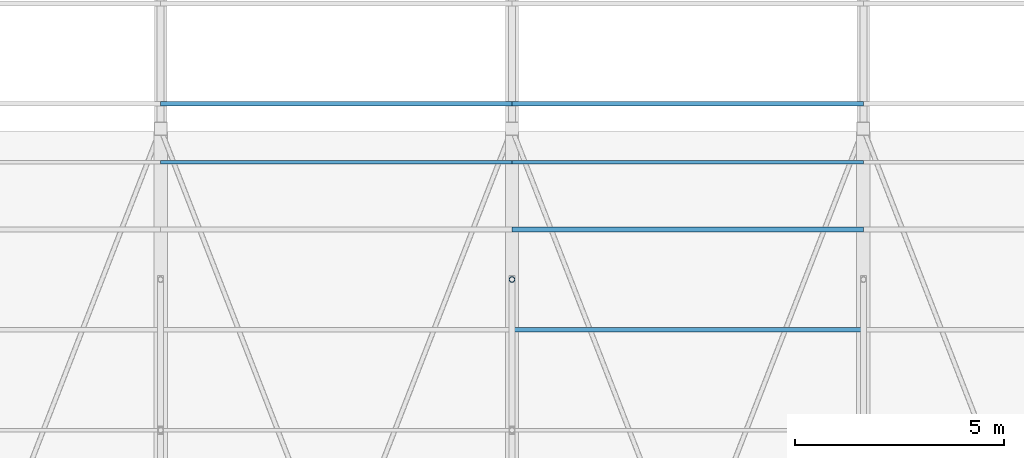
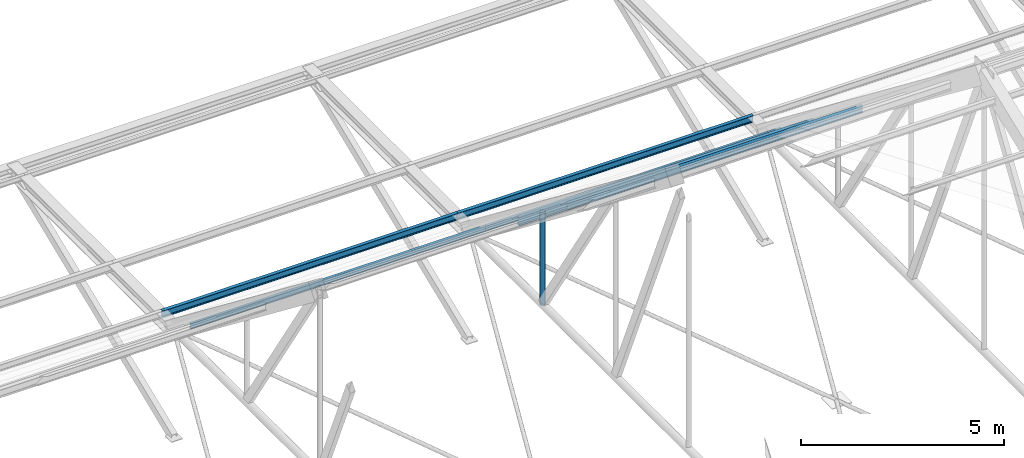
# One storey, part 117 of 217: 7 members.
"""IFC4 building model written with IfcOpenShell, lengths in metres."""

from ifc_helpers import new_model, si_unit, direction, frame, origin, origin_2d, place, context, subcontext, project, spatial, hollow_circle, i_section, extrude, material, material_profile, profile_set, type_object, element, save


model = new_model("IFC4")

# Units and contexts
model_context = context("Model", 3, precision=1e-05, world=origin(), true_north=direction((0.0, 1.0)))
body_context = subcontext(model_context, "Body", "Model", "MODEL_VIEW")
ifc_project = project(units=[si_unit("LENGTHUNIT", "METRE"), si_unit("AREAUNIT", "SQUARE_METRE"), si_unit("VOLUMEUNIT", "CUBIC_METRE"), si_unit("PLANEANGLEUNIT", "RADIAN"), si_unit("MASSUNIT", "GRAM", prefix="KILO")], contexts=[model_context])

# Site, building, storey
site_placement = place(None, origin())
site = spatial("IfcSite", under=ifc_project, at=site_placement, CompositionType="ELEMENT")
building_placement = place(site_placement, origin())
building = spatial("IfcBuilding", under=site, at=building_placement, Name="Mazaris Harbour Polytechnic", CompositionType="ELEMENT")
storey_placement = place(building_placement, frame((0.0, 0.0, 9.60009765625)))
storey = spatial("IfcBuildingStorey", under=building, at=storey_placement, Name="L02", CompositionType="ELEMENT", Elevation=9.60009765625)

# Members
ifc_material_1 = material(Name="Steel S355", Category="steel")
ifc_material_profile_1 = material_profile(ifc_material_1, i_section(OverallWidth=0.08203125, OverallDepth=0.159912109375, WebThickness=0.0048828125, FlangeThickness=0.00732421875, FilletRadius=0.009033203125, at=origin_2d()), Name="IPE 160")
ifc_profile_set_1 = profile_set([ifc_material_profile_1], Name="Steel S355")
member_type_1 = type_object("IfcMemberType", Name="Steel Purlin IPE160", PredefinedType="PURLIN", material=ifc_profile_set_1)
member_1_placement = place(storey_placement, frame((62.39990234375, 107.199951171875, 4.3310546875), z_axis=(1.0, 0.0, 0.0), x_axis=(0.0, 1.0, 0.0)))
element("IfcMember", 1, at=member_1_placement, inside=storey, type_object=member_type_1, Name="V1 Roof Purlin N-39", PredefinedType="PURLIN", context=body_context, shape_type="SweptSolid", body=[
    extrude(i_section(OverallWidth=0.08203125, OverallDepth=0.159912109375, WebThickness=0.0048828125, FlangeThickness=0.00732421875, FilletRadius=0.009033203125, at=origin_2d()), origin(), (0.0, 0.0, 1.0), 8.400146484375),
])
member_2_placement = place(storey_placement, frame((70.800048828125, 107.199951171875, 4.3310546875), z_axis=(1.0, 0.0, 0.0), x_axis=(0.0, 1.0, 0.0)))
element("IfcMember", 2, at=member_2_placement, inside=storey, type_object=member_type_1, Name="V1 Roof Purlin N-60", PredefinedType="PURLIN", context=body_context, shape_type="SweptSolid", body=[
    extrude(i_section(OverallWidth=0.08203125, OverallDepth=0.159912109375, WebThickness=0.0048828125, FlangeThickness=0.00732421875, FilletRadius=0.009033203125, at=origin_2d()), origin(), (0.0, 0.0, 1.0), 8.39990234375),
])
ifc_material_2 = material(Name="Steel S355", Category="steel")
ifc_material_profile_2 = material_profile(ifc_material_2, i_section(OverallWidth=0.10009765625, OverallDepth=0.199951171875, WebThickness=0.005615234375, FlangeThickness=0.008544921875, FilletRadius=0.011962890625, at=origin_2d()), Name="IPE 200")
ifc_profile_set_2 = profile_set([ifc_material_profile_2], Name="Steel S355")
member_type_2 = type_object("IfcMemberType", Name="Steel Purlin IPE200", PredefinedType="PURLIN", material=ifc_profile_set_2)
member_3_placement = place(storey_placement, frame((70.800048828125, 103.199951171875, 7.4130859375), z_axis=(1.0, 0.0, 0.0), x_axis=(0.0, 1.0, 0.0)))
element("IfcMember", 3, at=member_3_placement, inside=storey, type_object=member_type_2, Name="V1 Roof Purlin N-58", PredefinedType="PURLIN", context=body_context, shape_type="SweptSolid", body=[
    extrude(i_section(OverallWidth=0.10009765625, OverallDepth=0.199951171875, WebThickness=0.005615234375, FlangeThickness=0.008544921875, FilletRadius=0.011962890625, at=origin_2d()), origin(), (0.0, 0.0, 1.0), 8.39990234375),
])
ifc_material_3 = material(Name="Steel S355", Category="steel")
ifc_material_profile_3 = material_profile(ifc_material_3, i_section(OverallWidth=0.10009765625, OverallDepth=0.199951171875, WebThickness=0.005615234375, FlangeThickness=0.008544921875, FilletRadius=0.011962890625, at=origin_2d()), Name="IPE 200")
ifc_profile_set_3 = profile_set([ifc_material_profile_3], Name="Steel S355")
member_type_3 = type_object("IfcMemberType", Name="Steel Purlin IPE200 Exterior", PredefinedType="PURLIN", material=ifc_profile_set_3)
member_4_placement = place(storey_placement, frame((62.39990234375, 108.60009765625, 3.85498046875), z_axis=(1.0, 0.0, 0.0), x_axis=(0.0, 1.0, 0.0)))
element("IfcMember", 4, at=member_4_placement, inside=storey, type_object=member_type_3, Name="V1 Roof Purlin N-40", PredefinedType="PURLIN", context=body_context, shape_type="SweptSolid", body=[
    extrude(i_section(OverallWidth=0.10009765625, OverallDepth=0.199951171875, WebThickness=0.005615234375, FlangeThickness=0.008544921875, FilletRadius=0.011962890625, at=origin_2d()), origin(), (0.0, 0.0, 1.0), 8.400146484375),
])
member_5_placement = place(storey_placement, frame((70.800048828125, 108.60009765625, 3.85498046875), z_axis=(1.0, 0.0, 0.0), x_axis=(0.0, 1.0, 0.0)))
element("IfcMember", 5, at=member_5_placement, inside=storey, type_object=member_type_3, Name="V1 Roof Purlin N-61", PredefinedType="PURLIN", context=body_context, shape_type="SweptSolid", body=[
    extrude(i_section(OverallWidth=0.10009765625, OverallDepth=0.199951171875, WebThickness=0.005615234375, FlangeThickness=0.008544921875, FilletRadius=0.011962890625, at=origin_2d()), origin(), (0.0, 0.0, 1.0), 8.39990234375),
])
ifc_material_4 = material(Name="Steel S355", Category="steel")
ifc_material_profile_4 = material_profile(ifc_material_4, i_section(OverallWidth=0.1201171875, OverallDepth=0.239990234375, WebThickness=0.006103515625, FlangeThickness=0.009765625, FilletRadius=0.014892578125, at=origin_2d()), Name="IPE 240")
ifc_profile_set_4 = profile_set([ifc_material_profile_4], Name="Steel S355")
member_type_4 = type_object("IfcMemberType", Name="Steel Purlin IPE240", PredefinedType="PURLIN", material=ifc_profile_set_4)
member_6_placement = place(storey_placement, frame((70.800048828125, 105.60009765625, 5.5166015625), z_axis=(1.0, 0.0, 0.0), x_axis=(0.0, 1.0, 0.0)))
element("IfcMember", 6, at=member_6_placement, inside=storey, type_object=member_type_4, Name="V1 Roof Purlin N-59", PredefinedType="PURLIN", context=body_context, shape_type="SweptSolid", body=[
    extrude(i_section(OverallWidth=0.1201171875, OverallDepth=0.239990234375, WebThickness=0.006103515625, FlangeThickness=0.009765625, FilletRadius=0.014892578125, at=origin_2d()), origin(), (0.0, 0.0, 1.0), 8.39990234375),
])
ifc_material_5 = material(Name="Steel S355", Category="steel")
ifc_material_profile_5 = material_profile(ifc_material_5, hollow_circle(Radius=0.06982421875, WallThickness=0.008056640625, at=origin_2d()), Name="CHS 139.7x8.0")
ifc_profile_set_5 = profile_set([ifc_material_profile_5], Name="Steel S355")
member_type_5 = type_object("IfcMemberType", Name="Steel Truss Strut CHS139", PredefinedType="STRUT", material=ifc_profile_set_5)
member_7_placement = place(storey_placement, frame((70.800048828125, 104.39990234375, 3.75), z_axis=(0.0, 0.0, 1.0), x_axis=(1.0, 0.0, 0.0)))
element("IfcMember", 7, at=member_7_placement, inside=storey, type_object=member_type_5, Name="Truss 3 Web Post N2", PredefinedType="STRUT", context=body_context, shape_type="SweptSolid", body=[
    extrude(hollow_circle(Radius=0.06982421875, WallThickness=0.008056640625, at=origin_2d()), origin(), (0.0, 0.0, 1.0), 2.783203125),
])

save(model, "model.ifc")
